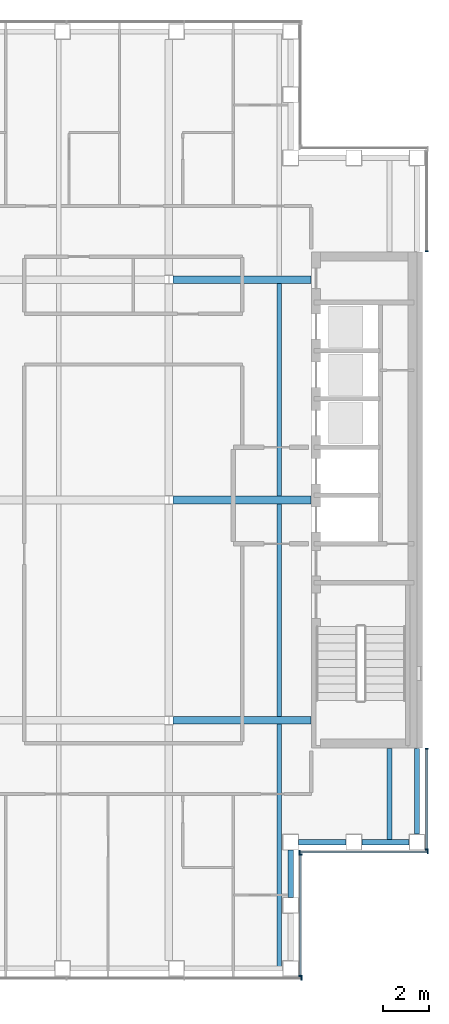
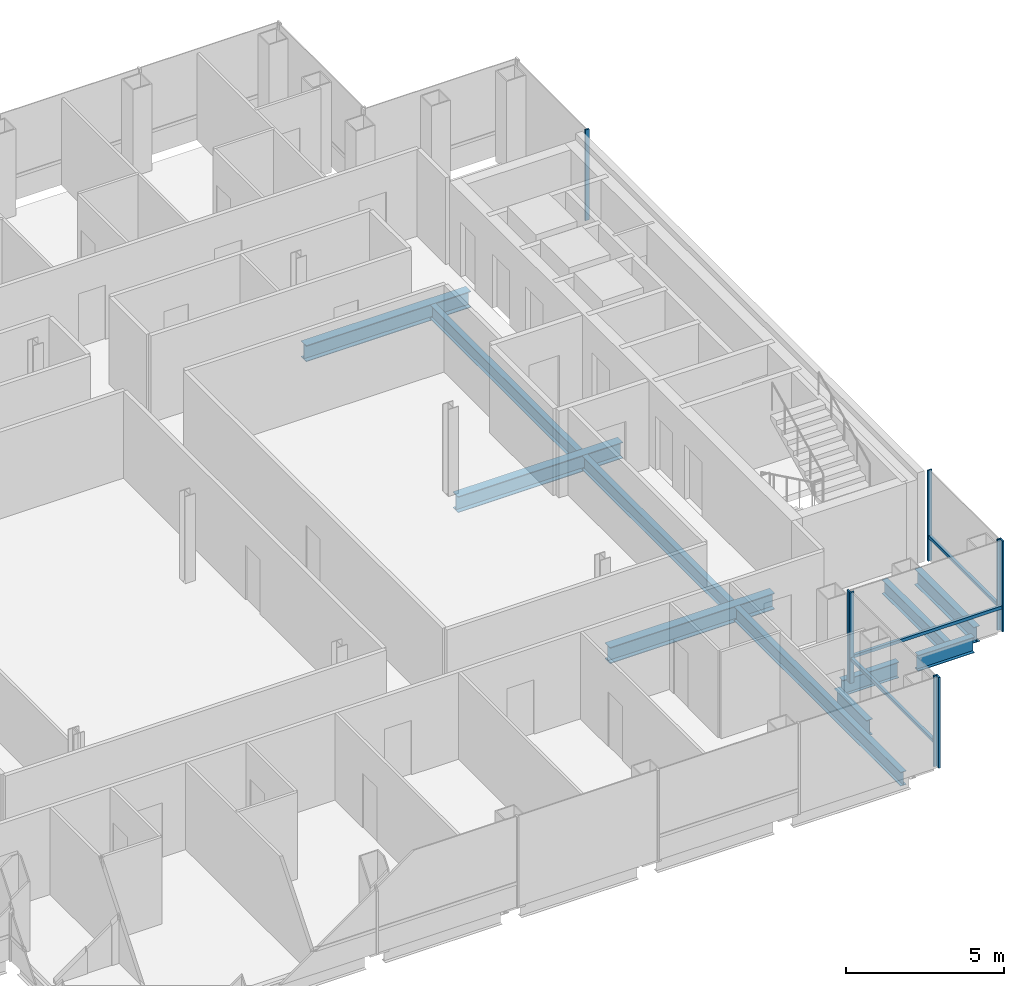
# One storey, part 6 of 15: 11 beams, 11 members, 5 elements without a shape of their own.
"""IFC4 building model written with IfcOpenShell, lengths in metres."""

from ifc_helpers import new_model, si_unit, direction, frame, origin, origin_2d, place, context, subcontext, project, spatial, rectangle, i_section, extrude, material, material_profile, profile_set, type_object, element, aggregate, save


model = new_model("IFC4")

# Units and contexts
model_context = context("Model", 3, precision=1e-05, world=origin(), true_north=direction((0.0, 1.0)))
body_context = subcontext(model_context, "Body", "Model", "MODEL_VIEW")
ifc_project = project(units=[si_unit("LENGTHUNIT", "METRE"), si_unit("AREAUNIT", "SQUARE_METRE"), si_unit("VOLUMEUNIT", "CUBIC_METRE"), si_unit("PLANEANGLEUNIT", "RADIAN"), si_unit("MASSUNIT", "GRAM", prefix="KILO")], contexts=[model_context])

# Site, building, storey
site_placement = place(None, origin())
site = spatial("IfcSite", under=ifc_project, at=site_placement, CompositionType="ELEMENT")
building_placement = place(site_placement, origin())
building = spatial("IfcBuilding", under=site, at=building_placement, Name="Cobrizo Arcos Hotel Tower", CompositionType="ELEMENT")
storey_placement = place(building_placement, frame((0.0, 0.0, 215.5)))
storey = spatial("IfcBuildingStorey", under=building, at=storey_placement, Name="L56", CompositionType="ELEMENT", Elevation=215.5)

# Curtain wall, member
ifc_material_1 = material(Name="Aluminium 6063-T6 anodised bronze", Category="aluminium")
curtain_wall_type = type_object("IfcCurtainWallType", Name="CW-A guest facade", PredefinedType="NOTDEFINED", material=ifc_material_1)
curtain_wall_1_placement = place(storey_placement, origin())
curtain_wall_1 = element("IfcCurtainWall", 1, at=curtain_wall_1_placement, inside=storey, type_object=curtain_wall_type, Name="CW-A L56 S face", PredefinedType="NOTDEFINED")
ifc_material_profile_1 = material_profile(ifc_material_1, rectangle(XDim=0.14990234375, YDim=0.06005859375, at=origin_2d()), Name="CW-A mullion 150x60")
ifc_profile_set_1 = profile_set([ifc_material_profile_1], Name="Aluminium 6063-T6 anodised bronze")
member_type_1 = type_object("IfcMemberType", Name="CW-A mullion 150x60", PredefinedType="MULLION", material=ifc_profile_set_1)
member_1_placement = place(storey_placement, frame((15.3701171875, -20.824951171875, 0.0), z_axis=(0.0, 0.0, 1.0), x_axis=(0.0, -1.0, 0.0)))
member_1 = element("IfcMember", 2, at=member_1_placement, type_object=member_type_1, Name="CW-A mullion 7", PredefinedType="MULLION", context=body_context, shape_type="SweptSolid", body=[
    extrude(rectangle(XDim=0.14990234375, YDim=0.06005859375, at=origin_2d()), origin(), (0.0, 0.0, 1.0), 3.5),
])
aggregate(curtain_wall_1, [member_1])

# Curtain wall, members
curtain_wall_2_placement = place(storey_placement, origin())
curtain_wall_2 = element("IfcCurtainWall", 3, at=curtain_wall_2_placement, inside=storey, type_object=curtain_wall_type, Name="CW-A L56 E face", PredefinedType="NOTDEFINED")
member_2_placement = place(storey_placement, frame((15.324951171875, -20.719970703125, 0.0), z_axis=(0.0, 0.0, 1.0), x_axis=(1.0, 0.0, 0.0)))
member_2 = element("IfcMember", 4, at=member_2_placement, type_object=member_type_1, Name="CW-A mullion 1", PredefinedType="MULLION", context=body_context, shape_type="SweptSolid", body=[
    extrude(rectangle(XDim=0.14990234375, YDim=0.06005859375, at=origin_2d()), origin(), (0.0, 0.0, 1.0), 3.5),
])
member_3_placement = place(storey_placement, frame((15.324951171875, -15.429931640625, 0.0), z_axis=(0.0, 0.0, 1.0), x_axis=(1.0, 0.0, 0.0)))
member_3 = element("IfcMember", 5, at=member_3_placement, type_object=member_type_1, Name="CW-A mullion 2", PredefinedType="MULLION", context=body_context, shape_type="SweptSolid", body=[
    extrude(rectangle(XDim=0.14990234375, YDim=0.06005859375, at=origin_2d()), origin(), (0.0, 0.0, 1.0), 3.5),
])

curtain_wall_3_placement = place(storey_placement, origin())
curtain_wall_3 = element("IfcCurtainWall", 6, at=curtain_wall_3_placement, inside=storey, type_object=curtain_wall_type, Name="CW-A L56 S face", PredefinedType="NOTDEFINED")
member_4_placement = place(storey_placement, frame((15.280029296875, -15.324951171875, 0.0), z_axis=(0.0, 0.0, 1.0), x_axis=(0.0, -1.0, 0.0)))
member_4 = element("IfcMember", 7, at=member_4_placement, type_object=member_type_1, Name="CW-A mullion 1", PredefinedType="MULLION", context=body_context, shape_type="SweptSolid", body=[
    extrude(rectangle(XDim=0.14990234375, YDim=0.06005859375, at=origin_2d()), origin(), (0.0, 0.0, 1.0), 3.5),
])
member_5_placement = place(storey_placement, frame((20.8701171875, -15.324951171875, 0.0), z_axis=(0.0, 0.0, 1.0), x_axis=(0.0, -1.0, 0.0)))
member_5 = element("IfcMember", 8, at=member_5_placement, type_object=member_type_1, Name="CW-A mullion 2", PredefinedType="MULLION", context=body_context, shape_type="SweptSolid", body=[
    extrude(rectangle(XDim=0.14990234375, YDim=0.06005859375, at=origin_2d()), origin(), (0.0, 0.0, 1.0), 3.5),
])

curtain_wall_4_placement = place(storey_placement, origin())
curtain_wall_4 = element("IfcCurtainWall", 9, at=curtain_wall_4_placement, inside=storey, type_object=curtain_wall_type, Name="CW-A L56 E face", PredefinedType="NOTDEFINED")
member_6_placement = place(storey_placement, frame((20.824951171875, -15.219970703125, 0.0), z_axis=(0.0, 0.0, 1.0), x_axis=(1.0, 0.0, 0.0)))
member_6 = element("IfcMember", 10, at=member_6_placement, type_object=member_type_1, Name="CW-A mullion 1", PredefinedType="MULLION", context=body_context, shape_type="SweptSolid", body=[
    extrude(rectangle(XDim=0.14990234375, YDim=0.06005859375, at=origin_2d()), origin(), (0.0, 0.0, 1.0), 3.5),
])
member_7_placement = place(storey_placement, frame((20.824951171875, -10.830078125, 0.0), z_axis=(0.0, 0.0, 1.0), x_axis=(1.0, 0.0, 0.0)))
member_7 = element("IfcMember", 11, at=member_7_placement, type_object=member_type_1, Name="CW-A mullion 2", PredefinedType="MULLION", context=body_context, shape_type="SweptSolid", body=[
    extrude(rectangle(XDim=0.14990234375, YDim=0.06005859375, at=origin_2d()), origin(), (0.0, 0.0, 1.0), 3.5),
])

# Curtain wall, member
curtain_wall_5_placement = place(storey_placement, origin())
curtain_wall_5 = element("IfcCurtainWall", 12, at=curtain_wall_5_placement, inside=storey, type_object=curtain_wall_type, Name="CW-A L56 E face", PredefinedType="NOTDEFINED")
member_8_placement = place(storey_placement, frame((20.824951171875, 10.830078125, 0.0), z_axis=(0.0, 0.0, 1.0), x_axis=(1.0, 0.0, 0.0)))
member_8 = element("IfcMember", 13, at=member_8_placement, type_object=member_type_1, Name="CW-A mullion 1", PredefinedType="MULLION", context=body_context, shape_type="SweptSolid", body=[
    extrude(rectangle(XDim=0.14990234375, YDim=0.06005859375, at=origin_2d()), origin(), (0.0, 0.0, 1.0), 3.5),
])
aggregate(curtain_wall_5, [member_8])

# Member
ifc_material_profile_2 = material_profile(ifc_material_1, rectangle(XDim=0.10009765625, YDim=0.1201171875, at=origin_2d()), Name="CW-A transom 120x100")
ifc_profile_set_2 = profile_set([ifc_material_profile_2], Name="Aluminium 6063-T6 anodised bronze")
member_type_2 = type_object("IfcMemberType", Name="CW-A transom 120x100", PredefinedType="USERDEFINED", material=ifc_profile_set_2)
member_9_placement = place(storey_placement, frame((15.324951171875, -20.68994140625, 0.929931640625), z_axis=(0.0, 1.0, 0.0), x_axis=(-1.0, 0.0, 0.0)))
member_9 = element("IfcMember", 14, at=member_9_placement, type_object=member_type_2, Name="CW-A transom 1870", ObjectType="TRANSOM", PredefinedType="USERDEFINED", context=body_context, shape_type="SweptSolid", body=[
    extrude(rectangle(XDim=0.10009765625, YDim=0.1201171875, at=origin_2d()), origin(), (0.0, 0.0, 1.0), 5.22998046875),
])

aggregate(curtain_wall_2, [member_2, member_3, member_9])

member_10_placement = place(storey_placement, frame((15.31005859375, -15.324951171875, 0.929931640625), z_axis=(1.0, 0.0, 0.0), x_axis=(0.0, 1.0, 0.0)))
member_10 = element("IfcMember", 15, at=member_10_placement, type_object=member_type_2, Name="CW-A transom 1871", ObjectType="TRANSOM", PredefinedType="USERDEFINED", context=body_context, shape_type="SweptSolid", body=[
    extrude(rectangle(XDim=0.10009765625, YDim=0.1201171875, at=origin_2d()), origin(), (0.0, 0.0, 1.0), 5.530029296875),
])

aggregate(curtain_wall_3, [member_4, member_5, member_10])

member_11_placement = place(storey_placement, frame((20.824951171875, -15.18994140625, 0.929931640625), z_axis=(0.0, 1.0, 0.0), x_axis=(-1.0, 0.0, 0.0)))
member_11 = element("IfcMember", 16, at=member_11_placement, type_object=member_type_2, Name="CW-A transom 1872", ObjectType="TRANSOM", PredefinedType="USERDEFINED", context=body_context, shape_type="SweptSolid", body=[
    extrude(rectangle(XDim=0.10009765625, YDim=0.1201171875, at=origin_2d()), origin(), (0.0, 0.0, 1.0), 4.329833984375),
])

aggregate(curtain_wall_4, [member_6, member_7, member_11])

# Beams
ifc_material_2 = material(Name="Steel ASTM A992 Grade 50", Category="steel")
ifc_material_profile_3 = material_profile(ifc_material_2, i_section(OverallWidth=0.209228515625, OverallDepth=0.533447265625, WebThickness=0.01025390625, FlangeThickness=0.015625, at=origin_2d()), Name="W21X62")
ifc_profile_set_3 = profile_set([ifc_material_profile_3], Name="Steel ASTM A992 Grade 50")
beam_type_1 = type_object("IfcBeamType", Name="W21X62 joist", PredefinedType="JOIST", material=ifc_profile_set_3)
beam_1_placement = place(storey_placement, frame((14.39990234375, -20.31005859375, -0.416748046875), z_axis=(0.0, 1.0, 0.0), x_axis=(-1.0, 0.0, 0.0)))
element("IfcBeam", 17, at=beam_1_placement, inside=storey, type_object=beam_type_1, Name="Floor joist J1, L56, no. 015", PredefinedType="JOIST", context=body_context, shape_type="SweptSolid", body=[
    extrude(i_section(OverallWidth=0.209228515625, OverallDepth=0.533447265625, WebThickness=0.01025390625, FlangeThickness=0.015625, at=origin_2d()), origin(), (0.0, 0.0, 1.0), 10.546142578125),
])
for number, where, z_axis, x_axis, name in (
    (18, (14.39990234375, -9.43603515625, -0.416748046875), (0.0, 1.0, 0.0), (-1.0, 0.0, 0.0), "Floor joist J1, L56, no. 016"),
    (19, (14.39990234375, 0.163818359375, -0.416748046875), (0.0, 1.0, 0.0), (-1.0, 0.0, 0.0), "Floor joist J1, L56, no. 017"),
):
    element("IfcBeam", number, at=place(storey_placement, frame(where, z_axis=z_axis, x_axis=x_axis)), inside=storey, type_object=beam_type_1, Name=name, PredefinedType="JOIST", context=body_context, shape_type="SweptSolid", body=[
        extrude(i_section(OverallWidth=0.209228515625, OverallDepth=0.533447265625, WebThickness=0.01025390625, FlangeThickness=0.015625, at=origin_2d()), origin(), (0.0, 0.0, 1.0), 9.272216796875),
    ])
beam_2_placement = place(storey_placement, frame((19.199951171875, -14.81005859375, -0.416748046875), z_axis=(0.0, 1.0, 0.0), x_axis=(-1.0, 0.0, 0.0)))
element("IfcBeam", 20, at=beam_2_placement, inside=storey, type_object=beam_type_1, Name="Floor joist J1, L56, no. 019", PredefinedType="JOIST", context=body_context, shape_type="SweptSolid", body=[
    extrude(i_section(OverallWidth=0.209228515625, OverallDepth=0.533447265625, WebThickness=0.01025390625, FlangeThickness=0.015625, at=origin_2d()), origin(), (0.0, 0.0, 1.0), 4.0),
])
ifc_material_profile_4 = material_profile(ifc_material_2, i_section(OverallWidth=0.32763671875, OverallDepth=0.622314453125, WebThickness=0.015380859375, FlangeThickness=0.0244140625, at=origin_2d()), Name="W24X131")
ifc_profile_set_4 = profile_set([ifc_material_profile_4], Name="Steel ASTM A992 Grade 50")
beam_type_2 = type_object("IfcBeamType", Name="W24X131 girder", PredefinedType="BEAM", material=ifc_profile_set_4)
for number, where, z_axis, x_axis, name in (
    (21, (9.78662109375, -9.60009765625, -0.461181640625), (1.0, 0.0, 0.0), (0.0, 1.0, 0.0), "Floor girder G1, L56, no. 004"),
    (22, (9.78662109375, 0.0, -0.461181640625), (1.0, 0.0, 0.0), (0.0, 1.0, 0.0), "Floor girder G1, L56, no. 008"),
    (23, (9.78662109375, 9.60009765625, -0.461181640625), (1.0, 0.0, 0.0), (0.0, 1.0, 0.0), "Floor girder G1, L56, no. 012"),
):
    element("IfcBeam", number, at=place(storey_placement, frame(where, z_axis=z_axis, x_axis=x_axis)), inside=storey, type_object=beam_type_2, Name=name, PredefinedType="BEAM", context=body_context, shape_type="SweptSolid", body=[
        extrude(i_section(OverallWidth=0.32763671875, OverallDepth=0.622314453125, WebThickness=0.015380859375, FlangeThickness=0.0244140625, at=origin_2d()), origin(), (0.0, 0.0, 1.0), 6.00341796875),
    ])
ifc_material_profile_5 = material_profile(ifc_material_2, i_section(OverallWidth=0.228271484375, OverallDepth=0.607177734375, WebThickness=0.01123046875, FlangeThickness=0.017333984375, at=origin_2d()), Name="W24X76")
ifc_profile_set_5 = profile_set([ifc_material_profile_5], Name="Steel ASTM A992 Grade 50")
beam_type_3 = type_object("IfcBeamType", Name="W24X76 spandrel", PredefinedType="SPANDREL", material=ifc_profile_set_5)
for number, where, z_axis, x_axis, name in (
    (24, (14.89990234375, -17.300048828125, -0.45361328125), (0.0, 1.0, 0.0), (-1.0, 0.0, 0.0), "Spandrel beam W24X76, L56, no. 008"),
    (25, (15.25, -14.89990234375, -0.45361328125), (1.0, 0.0, 0.0), (0.0, 1.0, 0.0), "Spandrel beam W24X76, L56, no. 009"),
    (26, (18.0, -14.89990234375, -0.45361328125), (1.0, 0.0, 0.0), (0.0, 1.0, 0.0), "Spandrel beam W24X76, L56, no. 010"),
):
    element("IfcBeam", number, at=place(storey_placement, frame(where, z_axis=z_axis, x_axis=x_axis)), inside=storey, type_object=beam_type_3, Name=name, PredefinedType="SPANDREL", context=body_context, shape_type="SweptSolid", body=[
        extrude(i_section(OverallWidth=0.228271484375, OverallDepth=0.607177734375, WebThickness=0.01123046875, FlangeThickness=0.017333984375, at=origin_2d()), origin(), (0.0, 0.0, 1.0), 2.050048828125),
    ])
beam_3_placement = place(storey_placement, frame((20.39990234375, -14.550048828125, -0.45361328125), z_axis=(0.0, 1.0, 0.0), x_axis=(-1.0, 0.0, 0.0)))
element("IfcBeam", 27, at=beam_3_placement, inside=storey, type_object=beam_type_3, Name="Spandrel beam W24X76, L56, no. 011", PredefinedType="SPANDREL", context=body_context, shape_type="SweptSolid", body=[
    extrude(i_section(OverallWidth=0.228271484375, OverallDepth=0.607177734375, WebThickness=0.01123046875, FlangeThickness=0.017333984375, at=origin_2d()), origin(), (0.0, 0.0, 1.0), 3.739990234375),
])

save(model, "model.ifc")
